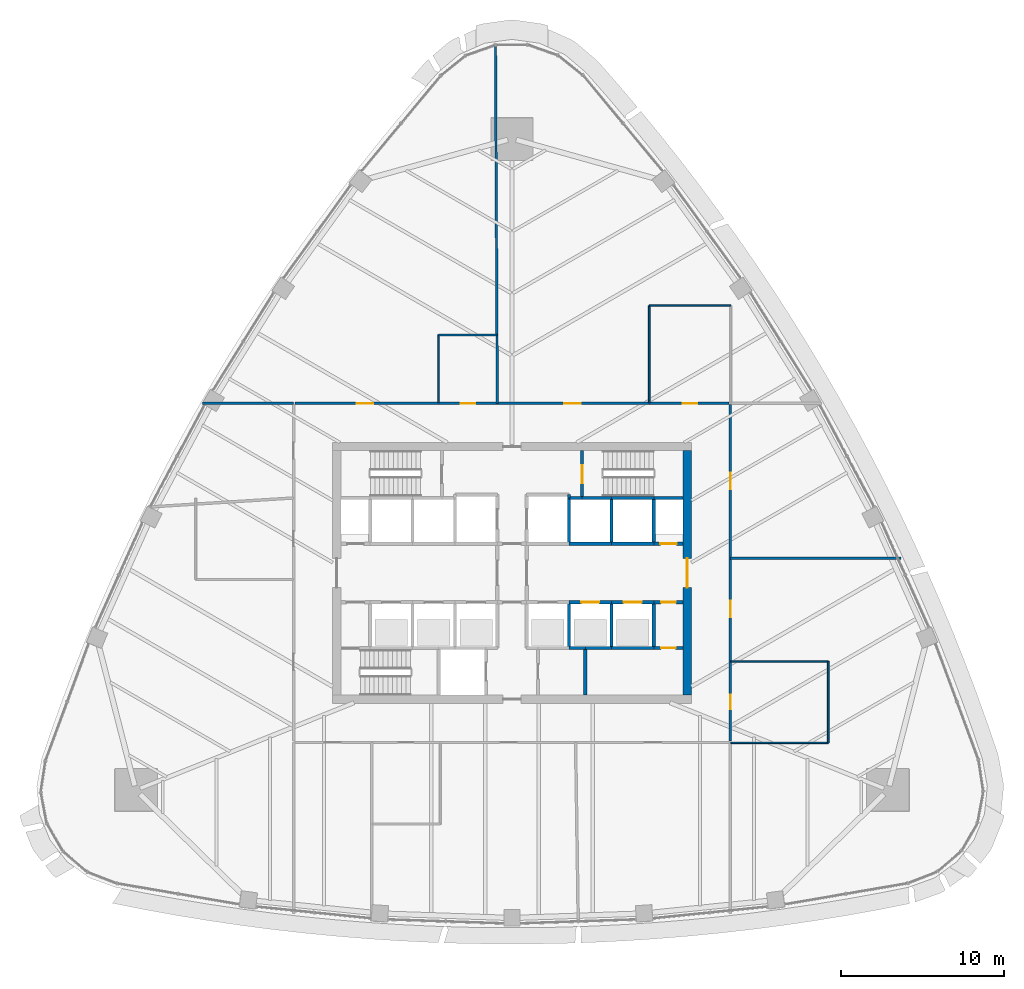
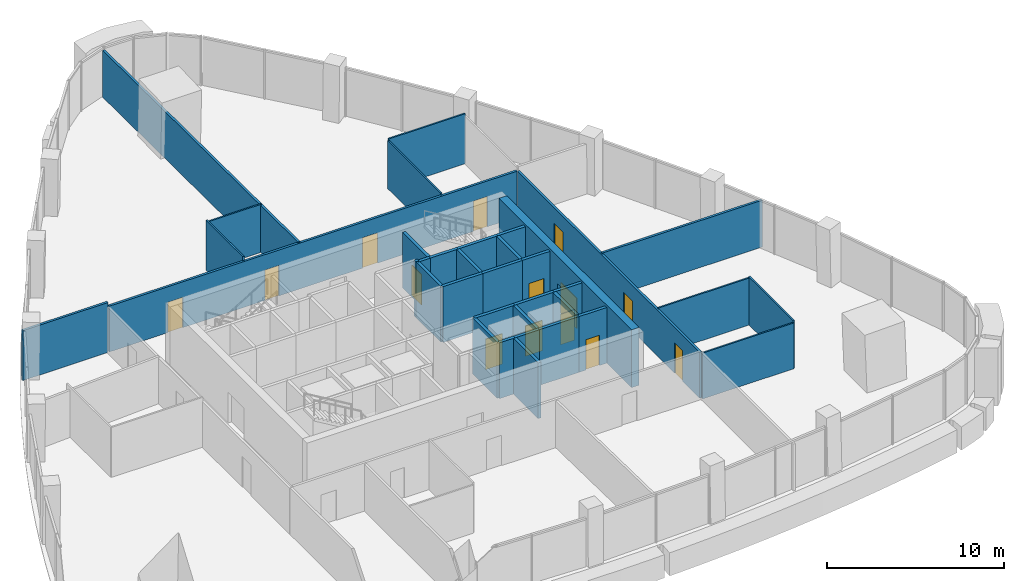
# One storey, part 11 of 16: 36 walls, 14 doors, 14 openings.
"""IFC4 building model written with IfcOpenShell, lengths in metres."""

from ifc_helpers import new_model, si_unit, direction, frame, frame_2d, origin, place, context, subcontext, project, spatial, rectangle, extrude, material, layer, layer_set, type_object, element, fill, save


model = new_model("IFC4")

# Units and contexts
model_context = context("Model", 3, precision=1e-05, world=origin(), true_north=direction((0.0, 1.0)))
body_context = subcontext(model_context, "Body", "Model", "MODEL_VIEW")
ifc_project = project(units=[si_unit("LENGTHUNIT", "METRE"), si_unit("AREAUNIT", "SQUARE_METRE"), si_unit("VOLUMEUNIT", "CUBIC_METRE"), si_unit("PLANEANGLEUNIT", "RADIAN"), si_unit("MASSUNIT", "GRAM", prefix="KILO")], contexts=[model_context])

# Site, building, storey
site_placement = place(None, origin())
site = spatial("IfcSite", under=ifc_project, at=site_placement, CompositionType="ELEMENT")
building_placement = place(site_placement, origin())
building = spatial("IfcBuilding", under=site, at=building_placement, Name="Sierra Prisma Convention Tower", CompositionType="ELEMENT")
storey_placement = place(building_placement, frame((0.0, 0.0, 197.800048828125)))
storey = spatial("IfcBuildingStorey", under=building, at=storey_placement, Name="L44", CompositionType="ELEMENT", Elevation=197.800048828125)

# Walls
ifc_material_1 = material(Name="Gypsum board partition", Category="gypsum")
ifc_layer_1 = layer(ifc_material_1, 0.10009765625)
ifc_layer_set_1 = layer_set([ifc_layer_1], Name="Bathroom partition 100")
wall_type_1 = type_object("IfcWallType", Name="Bathroom partition 100", PredefinedType="PARTITIONING", material=ifc_layer_set_1)
wall_1_placement = place(storey_placement, frame((-4.5, 10.429931640625, 0.0), z_axis=(0.0, 0.0, 1.0), x_axis=(0.0, 1.0, 0.0)))
element("IfcWall", 1, at=wall_1_placement, inside=storey, type_object=wall_type_1, Name="Partition L44 bath 5", PredefinedType="PARTITIONING", context=body_context, shape_type="SweptSolid", body=[
    extrude(rectangle(XDim=4.170166015625, YDim=0.10009765625, at=frame_2d((2.0849609375, 0.0))), origin(), (0.0, 0.0, 1.0), 3.449951171875),
])
wall_2_placement = place(storey_placement, frame((-4.5, 14.60009765625, 0.0), z_axis=(0.0, 0.0, 1.0), x_axis=(1.0, 0.0, 0.0)))
element("IfcWall", 2, at=wall_2_placement, inside=storey, type_object=wall_type_1, Name="Partition L44 bath 6", PredefinedType="PARTITIONING", context=body_context, shape_type="SweptSolid", body=[
    extrude(rectangle(XDim=3.570068359375, YDim=0.10009765625, at=frame_2d((1.78515625, 0.0))), origin(), (0.0, 0.0, 1.0), 3.31689453125),
])
wall_3_placement = place(storey_placement, frame((8.419921875, 10.429931640625, 0.0), z_axis=(0.0, 0.0, 1.0), x_axis=(0.0, 1.0, 0.0)))
element("IfcWall", 3, at=wall_3_placement, inside=storey, type_object=wall_type_1, Name="Partition L44 bath 7", PredefinedType="PARTITIONING", context=body_context, shape_type="SweptSolid", body=[
    extrude(rectangle(XDim=5.969970703125, YDim=0.10009765625, at=frame_2d((2.98486328125, 0.0))), origin(), (0.0, 0.0, 1.0), 3.31689453125),
])
wall_4_placement = place(storey_placement, frame((8.419921875, 16.39990234375, 0.0), z_axis=(0.0, 0.0, 1.0), x_axis=(1.0, 0.0, 0.0)))
element("IfcWall", 4, at=wall_4_placement, inside=storey, type_object=wall_type_1, Name="Partition L44 bath 8", PredefinedType="PARTITIONING", context=body_context, shape_type="SweptSolid", body=[
    extrude(rectangle(XDim=5.0, YDim=0.10009765625, at=frame_2d((2.5, 0.0))), origin(), (0.0, 0.0, 1.0), 3.449951171875),
])
wall_5_placement = place(storey_placement, frame((13.429931640625, -5.419921875, 0.0), z_axis=(0.0, 0.0, 1.0), x_axis=(1.0, 0.0, 0.0)))
element("IfcWall", 5, at=wall_5_placement, inside=storey, type_object=wall_type_1, Name="Partition L44 bath 10", PredefinedType="PARTITIONING", context=body_context, shape_type="SweptSolid", body=[
    extrude(rectangle(XDim=5.969970703125, YDim=0.10009765625, at=frame_2d((2.98486328125, 0.0))), origin(), (0.0, 0.0, 1.0), 3.2470703125),
])
wall_6_placement = place(storey_placement, frame((19.39990234375, -5.419921875, 0.0), z_axis=(0.0, 0.0, 1.0), x_axis=(0.0, -1.0, 0.0)))
element("IfcWall", 6, at=wall_6_placement, inside=storey, type_object=wall_type_1, Name="Partition L44 bath 11", PredefinedType="PARTITIONING", context=body_context, shape_type="SweptSolid", body=[
    extrude(rectangle(XDim=5.0, YDim=0.10009765625, at=frame_2d((2.5, 0.0))), origin(), (0.0, 0.0, 1.0), 3.31689453125),
])
wall_7_placement = place(storey_placement, frame((19.39990234375, -10.419921875, 0.0), z_axis=(0.0, 0.0, 1.0), x_axis=(-1.0, 0.0, 0.0)))
element("IfcWall", 7, at=wall_7_placement, inside=storey, type_object=wall_type_1, Name="Partition L44 bath 12", PredefinedType="PARTITIONING", context=body_context, shape_type="SweptSolid", body=[
    extrude(rectangle(XDim=5.969970703125, YDim=0.10009765625, at=frame_2d((2.98486328125, 0.0))), origin(), (0.0, 0.0, 1.0), 3.166015625),
])
ifc_material_2 = material(Name="Concrete C30/37", Category="concrete")
ifc_layer_2 = layer(ifc_material_2, 0.199951171875)
ifc_layer_set_2 = layer_set([ifc_layer_2], Name="Core wall RC 200 C30/37")
wall_type_2 = type_object("IfcWallType", Name="Core wall RC 200 C30/37", PredefinedType="SOLIDWALL", material=ifc_layer_set_2)
wall_8_placement = place(storey_placement, frame((3.5, 4.60009765625, 0.0), z_axis=(0.0, 0.0, 1.0), x_axis=(0.0, 1.0, 0.0)))
element("IfcWall", 8, at=wall_8_placement, inside=storey, type_object=wall_type_2, Name="Core wall L44 40", PredefinedType="SOLIDWALL", context=body_context, shape_type="SweptSolid", body=[
    extrude(rectangle(XDim=0.199951171875, YDim=0.199951171875, at=frame_2d((0.10009765625, 0.0))), origin(), (0.0, 0.0, 1.0), 3.849853515625),
])
wall_9_placement = place(storey_placement, frame((4.5, -4.60009765625, 0.0), z_axis=(0.0, 0.0, 1.0), x_axis=(-1.0, 0.0, 0.0)))
element("IfcWall", 9, at=wall_9_placement, inside=storey, type_object=wall_type_2, Name="Core wall L44 45", PredefinedType="SOLIDWALL", context=body_context, shape_type="SweptSolid", body=[
    extrude(rectangle(XDim=1.0, YDim=0.199951171875, at=frame_2d((0.5, 0.0))), origin(), (0.0, 0.0, 1.0), 3.849853515625),
])
wall_10_placement = place(storey_placement, frame((3.5, -4.60009765625, 0.0), z_axis=(0.0, 0.0, 1.0), x_axis=(0.0, 1.0, 0.0)))
element("IfcWall", 10, at=wall_10_placement, inside=storey, type_object=wall_type_2, Name="Core wall L44 46", PredefinedType="SOLIDWALL", context=body_context, shape_type="SweptSolid", body=[
    extrude(rectangle(XDim=2.800048828125, YDim=0.199951171875, at=frame_2d((1.39990234375, 0.0))), origin(), (0.0, 0.0, 1.0), 3.849853515625),
])

# Wall, opening, door
wall_11_placement = place(storey_placement, frame((3.5, -1.800048828125, 0.0), z_axis=(0.0, 0.0, 1.0), x_axis=(1.0, 0.0, 0.0)))
wall_11 = element("IfcWall", 11, at=wall_11_placement, inside=storey, type_object=wall_type_2, Name="Core wall L44 47", PredefinedType="SOLIDWALL", context=body_context, shape_type="SweptSolid", body=[
    extrude(rectangle(XDim=2.60009765625, YDim=0.199951171875, at=frame_2d((1.300048828125, 0.0))), origin(), (0.0, 0.0, 1.0), 3.849853515625),
])
opening_1_placement = place(wall_11_placement, frame((0.75, 0.0, 0.0)))
opening_1 = element("IfcOpeningElement", 12, at=opening_1_placement, cuts=wall_11, Name="Opening L44-D005", PredefinedType="OPENING", context=body_context, shape_type="SweptSolid", body=[
    extrude(rectangle(XDim=1.10009765625, YDim=2.10009765625, at=frame_2d((0.550048828125, 1.050048828125))), frame((0.0, 0.10009765625, 0.0), z_axis=(0.0, -1.0, 0.0), x_axis=(1.0, 0.0, 0.0)), (0.0, 0.0, 1.0), 0.199951171875),
])
ifc_material_3 = material(Name="Steel fire door leaf", Category="steel")
door_type_1 = type_object("IfcDoorType", Name="Door 1100x2100 EI 90 sliding lift landing", OperationType="SLIDING_TO_LEFT", PredefinedType="DOOR", material=ifc_material_3)
door_1_placement = place(opening_1_placement, origin())
door_1 = element("IfcDoor", 13, at=door_1_placement, inside=storey, type_object=door_type_1, Name="Door L44 19", OperationType="SLIDING_TO_LEFT", OverallHeight=2.10009765625, OverallWidth=1.10009765625, PredefinedType="DOOR", context=body_context, shape_type="SweptSolid", body=[
    extrude(rectangle(XDim=1.10009765625, YDim=2.10009765625, at=frame_2d((0.550048828125, 1.050048828125))), frame((0.0, 0.02490234375, 0.0), z_axis=(0.0, -1.0, 0.0), x_axis=(1.0, 0.0, 0.0)), (0.0, 0.0, 1.0), 0.050048828125),
])
fill(opening_1, door_1)

# Walls
wall_12_placement = place(storey_placement, frame((6.10009765625, 1.800048828125, 0.0), z_axis=(0.0, 0.0, 1.0), x_axis=(-1.0, 0.0, 0.0)))
element("IfcWall", 14, at=wall_12_placement, inside=storey, type_object=wall_type_2, Name="Core wall L44 48", PredefinedType="SOLIDWALL", context=body_context, shape_type="SweptSolid", body=[
    extrude(rectangle(XDim=2.60009765625, YDim=0.199951171875, at=frame_2d((1.300048828125, 0.0))), origin(), (0.0, 0.0, 1.0), 3.849853515625),
])
wall_13_placement = place(storey_placement, frame((3.5, 1.800048828125, 0.0), z_axis=(0.0, 0.0, 1.0), x_axis=(0.0, 1.0, 0.0)))
element("IfcWall", 15, at=wall_13_placement, inside=storey, type_object=wall_type_2, Name="Core wall L44 49", PredefinedType="SOLIDWALL", context=body_context, shape_type="SweptSolid", body=[
    extrude(rectangle(XDim=2.800048828125, YDim=0.199951171875, at=frame_2d((1.39990234375, 0.0))), origin(), (0.0, 0.0, 1.0), 3.849853515625),
])
wall_14_placement = place(storey_placement, frame((4.300048828125, 4.60009765625, 0.0), z_axis=(0.0, 0.0, 1.0), x_axis=(-1.0, 0.0, 0.0)))
element("IfcWall", 16, at=wall_14_placement, inside=storey, type_object=wall_type_2, Name="Core wall L44 50", PredefinedType="SOLIDWALL", context=body_context, shape_type="SweptSolid", body=[
    extrude(rectangle(XDim=0.800048828125, YDim=0.199951171875, at=frame_2d((0.39990234375, 0.0))), origin(), (0.0, 0.0, 1.0), 3.849853515625),
])
wall_15_placement = place(storey_placement, frame((6.10009765625, 4.60009765625, 0.0), z_axis=(0.0, 0.0, 1.0), x_axis=(-1.0, 0.0, 0.0)))
element("IfcWall", 17, at=wall_15_placement, inside=storey, type_object=wall_type_2, Name="Core wall L44 51", PredefinedType="SOLIDWALL", context=body_context, shape_type="SweptSolid", body=[
    extrude(rectangle(XDim=1.800048828125, YDim=0.199951171875, at=frame_2d((0.89990234375, 0.0))), origin(), (0.0, 0.0, 1.0), 3.849853515625),
])

# Wall, opening, door
wall_16_placement = place(storey_placement, frame((4.300048828125, 7.5, 0.0), z_axis=(0.0, 0.0, 1.0), x_axis=(0.0, -1.0, 0.0)))
wall_16 = element("IfcWall", 18, at=wall_16_placement, inside=storey, type_object=wall_type_2, Name="Core wall L44 52", PredefinedType="SOLIDWALL", context=body_context, shape_type="SweptSolid", body=[
    extrude(rectangle(XDim=2.89990234375, YDim=0.199951171875, at=frame_2d((1.449951171875, 0.0))), origin(), (0.0, 0.0, 1.0), 3.849853515625),
])
opening_2_placement = place(wall_16_placement, frame((0.89990234375, 0.0, 0.0)))
opening_2 = element("IfcOpeningElement", 19, at=opening_2_placement, cuts=wall_16, Name="Opening L44-D019", PredefinedType="OPENING", context=body_context, shape_type="SweptSolid", body=[
    extrude(rectangle(XDim=1.10009765625, YDim=2.10009765625, at=frame_2d((0.550048828125, 1.050048828125))), frame((0.0, 0.10009765625, 0.0), z_axis=(0.0, -1.0, 0.0), x_axis=(1.0, 0.0, 0.0)), (0.0, 0.0, 1.0), 0.199951171875),
])
ifc_material_4 = material(Name="Steel fire door leaf", Category="steel")
door_type_2 = type_object("IfcDoorType", Name="Door 1100x2100 FD90S", OperationType="SINGLE_SWING_LEFT", PredefinedType="DOOR", material=ifc_material_4)
door_2_placement = place(opening_2_placement, origin())
door_2 = element("IfcDoor", 20, at=door_2_placement, inside=storey, type_object=door_type_2, Name="Door L44 33", OperationType="SINGLE_SWING_LEFT", OverallHeight=2.10009765625, OverallWidth=1.10009765625, PredefinedType="DOOR", context=body_context, shape_type="SweptSolid", body=[
    extrude(rectangle(XDim=1.10009765625, YDim=2.10009765625, at=frame_2d((0.550048828125, 1.050048828125))), frame((0.0, 0.02490234375, 0.0), z_axis=(0.0, -1.0, 0.0), x_axis=(1.0, 0.0, 0.0)), (0.0, 0.0, 1.0), 0.050048828125),
])
fill(opening_2, door_2)

# Walls
wall_17_placement = place(storey_placement, frame((4.5, -4.60009765625, 0.0), z_axis=(0.0, 0.0, 1.0), x_axis=(0.0, -1.0, 0.0)))
element("IfcWall", 21, at=wall_17_placement, inside=storey, type_object=wall_type_2, Name="Core wall L44 53", PredefinedType="SOLIDWALL", context=body_context, shape_type="SweptSolid", body=[
    extrude(rectangle(XDim=2.89990234375, YDim=0.199951171875, at=frame_2d((1.449951171875, 0.0))), origin(), (0.0, 0.0, 1.0), 3.849853515625),
])
wall_18_placement = place(storey_placement, frame((6.10009765625, -4.60009765625, 0.0), z_axis=(0.0, 0.0, 1.0), x_axis=(-1.0, 0.0, 0.0)))
element("IfcWall", 22, at=wall_18_placement, inside=storey, type_object=wall_type_2, Name="Core wall L44 54", PredefinedType="SOLIDWALL", context=body_context, shape_type="SweptSolid", body=[
    extrude(rectangle(XDim=1.60009765625, YDim=0.199951171875, at=frame_2d((0.800048828125, 0.0))), origin(), (0.0, 0.0, 1.0), 3.849853515625),
])
wall_19_placement = place(storey_placement, frame((8.699951171875, -4.60009765625, 0.0), z_axis=(0.0, 0.0, 1.0), x_axis=(-1.0, 0.0, 0.0)))
element("IfcWall", 23, at=wall_19_placement, inside=storey, type_object=wall_type_2, Name="Core wall L44 55", PredefinedType="SOLIDWALL", context=body_context, shape_type="SweptSolid", body=[
    extrude(rectangle(XDim=2.599853515625, YDim=0.199951171875, at=frame_2d((1.2998046875, 0.0))), origin(), (0.0, 0.0, 1.0), 3.849853515625),
])
wall_20_placement = place(storey_placement, frame((6.10009765625, -4.60009765625, 0.0), z_axis=(0.0, 0.0, 1.0), x_axis=(0.0, 1.0, 0.0)))
element("IfcWall", 24, at=wall_20_placement, inside=storey, type_object=wall_type_2, Name="Core wall L44 56", PredefinedType="SOLIDWALL", context=body_context, shape_type="SweptSolid", body=[
    extrude(rectangle(XDim=2.800048828125, YDim=0.199951171875, at=frame_2d((1.39990234375, 0.0))), origin(), (0.0, 0.0, 1.0), 3.849853515625),
])

# Wall, opening, door
wall_21_placement = place(storey_placement, frame((6.10009765625, -1.800048828125, 0.0), z_axis=(0.0, 0.0, 1.0), x_axis=(1.0, 0.0, 0.0)))
wall_21 = element("IfcWall", 25, at=wall_21_placement, inside=storey, type_object=wall_type_2, Name="Core wall L44 57", PredefinedType="SOLIDWALL", context=body_context, shape_type="SweptSolid", body=[
    extrude(rectangle(XDim=2.599853515625, YDim=0.199951171875, at=frame_2d((1.2998046875, 0.0))), origin(), (0.0, 0.0, 1.0), 3.849853515625),
])
opening_3_placement = place(wall_21_placement, frame((0.75, 0.0, 0.0)))
opening_3 = element("IfcOpeningElement", 26, at=opening_3_placement, cuts=wall_21, Name="Opening L44-D006", PredefinedType="OPENING", context=body_context, shape_type="SweptSolid", body=[
    extrude(rectangle(XDim=1.10009765625, YDim=2.10009765625, at=frame_2d((0.550048828125, 1.050048828125))), frame((0.0, 0.10009765625, 0.0), z_axis=(0.0, -1.0, 0.0), x_axis=(1.0, 0.0, 0.0)), (0.0, 0.0, 1.0), 0.199951171875),
])
door_3_placement = place(opening_3_placement, origin())
door_3 = element("IfcDoor", 27, at=door_3_placement, inside=storey, type_object=door_type_1, Name="Door L44 20", OperationType="SLIDING_TO_LEFT", OverallHeight=2.10009765625, OverallWidth=1.10009765625, PredefinedType="DOOR", context=body_context, shape_type="SweptSolid", body=[
    extrude(rectangle(XDim=1.10009765625, YDim=2.10009765625, at=frame_2d((0.550048828125, 1.050048828125))), frame((0.0, 0.02490234375, 0.0), z_axis=(0.0, -1.0, 0.0), x_axis=(1.0, 0.0, 0.0)), (0.0, 0.0, 1.0), 0.050048828125),
])
fill(opening_3, door_3)

# Walls
wall_22_placement = place(storey_placement, frame((8.699951171875, 1.800048828125, 0.0), z_axis=(0.0, 0.0, 1.0), x_axis=(-1.0, 0.0, 0.0)))
element("IfcWall", 28, at=wall_22_placement, inside=storey, type_object=wall_type_2, Name="Core wall L44 58", PredefinedType="SOLIDWALL", context=body_context, shape_type="SweptSolid", body=[
    extrude(rectangle(XDim=2.599853515625, YDim=0.199951171875, at=frame_2d((1.2998046875, 0.0))), origin(), (0.0, 0.0, 1.0), 3.849853515625),
])
wall_23_placement = place(storey_placement, frame((6.10009765625, 1.800048828125, 0.0), z_axis=(0.0, 0.0, 1.0), x_axis=(0.0, 1.0, 0.0)))
element("IfcWall", 29, at=wall_23_placement, inside=storey, type_object=wall_type_2, Name="Core wall L44 59", PredefinedType="SOLIDWALL", context=body_context, shape_type="SweptSolid", body=[
    extrude(rectangle(XDim=2.800048828125, YDim=0.199951171875, at=frame_2d((1.39990234375, 0.0))), origin(), (0.0, 0.0, 1.0), 3.849853515625),
])
wall_24_placement = place(storey_placement, frame((8.699951171875, 4.60009765625, 0.0), z_axis=(0.0, 0.0, 1.0), x_axis=(-1.0, 0.0, 0.0)))
element("IfcWall", 30, at=wall_24_placement, inside=storey, type_object=wall_type_2, Name="Core wall L44 60", PredefinedType="SOLIDWALL", context=body_context, shape_type="SweptSolid", body=[
    extrude(rectangle(XDim=2.599853515625, YDim=0.199951171875, at=frame_2d((1.2998046875, 0.0))), origin(), (0.0, 0.0, 1.0), 3.849853515625),
])

# Wall, opening, door
wall_25_placement = place(storey_placement, frame((10.5, -4.60009765625, 0.0), z_axis=(0.0, 0.0, 1.0), x_axis=(-1.0, 0.0, 0.0)))
wall_25 = element("IfcWall", 31, at=wall_25_placement, inside=storey, type_object=wall_type_2, Name="Core wall L44 61", PredefinedType="SOLIDWALL", context=body_context, shape_type="SweptSolid", body=[
    extrude(rectangle(XDim=1.800048828125, YDim=0.199951171875, at=frame_2d((0.89990234375, 0.0))), origin(), (0.0, 0.0, 1.0), 3.849853515625),
])
opening_4_placement = place(wall_25_placement, frame((0.4599609375, 0.0, 0.0)))
opening_4 = element("IfcOpeningElement", 32, at=opening_4_placement, cuts=wall_25, Name="Opening L44-D020", PredefinedType="OPENING", context=body_context, shape_type="SweptSolid", body=[
    extrude(rectangle(XDim=0.89990234375, YDim=2.10009765625, at=frame_2d((0.449951171875, 1.050048828125))), frame((0.0, 0.10009765625, 0.0), z_axis=(0.0, -1.0, 0.0), x_axis=(1.0, 0.0, 0.0)), (0.0, 0.0, 1.0), 0.199951171875),
])
ifc_material_5 = material(Name="Steel fire door leaf", Category="steel")
door_type_3 = type_object("IfcDoorType", Name="Door 900x2100 FD30S", OperationType="SINGLE_SWING_LEFT", PredefinedType="DOOR", material=ifc_material_5)
door_4_placement = place(opening_4_placement, origin())
door_4 = element("IfcDoor", 33, at=door_4_placement, inside=storey, type_object=door_type_3, Name="Door L44 34", OperationType="SINGLE_SWING_RIGHT", OverallHeight=2.10009765625, OverallWidth=0.89990234375, PredefinedType="DOOR", context=body_context, shape_type="SweptSolid", body=[
    extrude(rectangle(XDim=0.89990234375, YDim=2.10009765625, at=frame_2d((0.449951171875, 1.050048828125))), frame((0.0, 0.02490234375, 0.0), z_axis=(0.0, -1.0, 0.0), x_axis=(1.0, 0.0, 0.0)), (0.0, 0.0, 1.0), 0.050048828125),
])
fill(opening_4, door_4)

# Wall
wall_26_placement = place(storey_placement, frame((8.699951171875, -1.800048828125, 0.0), z_axis=(0.0, 0.0, 1.0), x_axis=(0.0, -1.0, 0.0)))
element("IfcWall", 34, at=wall_26_placement, inside=storey, type_object=wall_type_2, Name="Core wall L44 62", PredefinedType="SOLIDWALL", context=body_context, shape_type="SweptSolid", body=[
    extrude(rectangle(XDim=2.800048828125, YDim=0.199951171875, at=frame_2d((1.39990234375, 0.0))), origin(), (0.0, 0.0, 1.0), 3.849853515625),
])

# Wall, opening, door
wall_27_placement = place(storey_placement, frame((8.699951171875, -1.800048828125, 0.0), z_axis=(0.0, 0.0, 1.0), x_axis=(1.0, 0.0, 0.0)))
wall_27 = element("IfcWall", 35, at=wall_27_placement, inside=storey, type_object=wall_type_2, Name="Core wall L44 63", PredefinedType="SOLIDWALL", context=body_context, shape_type="SweptSolid", body=[
    extrude(rectangle(XDim=1.800048828125, YDim=0.199951171875, at=frame_2d((0.89990234375, 0.0))), origin(), (0.0, 0.0, 1.0), 3.849853515625),
])
opening_5_placement = place(wall_27_placement, frame((0.449951171875, 0.0, 0.0)))
opening_5 = element("IfcOpeningElement", 36, at=opening_5_placement, cuts=wall_27, Name="Opening L44-D021", PredefinedType="OPENING", context=body_context, shape_type="SweptSolid", body=[
    extrude(rectangle(XDim=0.89990234375, YDim=2.10009765625, at=frame_2d((0.449951171875, 1.050048828125))), frame((0.0, 0.10009765625, 0.0), z_axis=(0.0, -1.0, 0.0), x_axis=(1.0, 0.0, 0.0)), (0.0, 0.0, 1.0), 0.199951171875),
])
door_5_placement = place(opening_5_placement, origin())
door_5 = element("IfcDoor", 37, at=door_5_placement, inside=storey, type_object=door_type_3, Name="Door L44 35", OperationType="SINGLE_SWING_RIGHT", OverallHeight=2.10009765625, OverallWidth=0.89990234375, PredefinedType="DOOR", context=body_context, shape_type="SweptSolid", body=[
    extrude(rectangle(XDim=0.89990234375, YDim=2.10009765625, at=frame_2d((0.449951171875, 1.050048828125))), frame((0.0, 0.02490234375, 0.0), z_axis=(0.0, -1.0, 0.0), x_axis=(1.0, 0.0, 0.0)), (0.0, 0.0, 1.0), 0.050048828125),
])
fill(opening_5, door_5)

wall_28_placement = place(storey_placement, frame((10.5, 1.800048828125, 0.0), z_axis=(0.0, 0.0, 1.0), x_axis=(-1.0, 0.0, 0.0)))
wall_28 = element("IfcWall", 38, at=wall_28_placement, inside=storey, type_object=wall_type_2, Name="Core wall L44 64", PredefinedType="SOLIDWALL", context=body_context, shape_type="SweptSolid", body=[
    extrude(rectangle(XDim=1.800048828125, YDim=0.199951171875, at=frame_2d((0.89990234375, 0.0))), origin(), (0.0, 0.0, 1.0), 3.849853515625),
])
opening_6_placement = place(wall_28_placement, frame((0.39990234375, 0.0, 0.0)))
opening_6 = element("IfcOpeningElement", 39, at=opening_6_placement, cuts=wall_28, Name="Opening L44-D016", PredefinedType="OPENING", context=body_context, shape_type="SweptSolid", body=[
    extrude(rectangle(XDim=1.0, YDim=2.10009765625, at=frame_2d((0.5, 1.050048828125))), frame((0.0, 0.10009765625, 0.0), z_axis=(0.0, -1.0, 0.0), x_axis=(1.0, 0.0, 0.0)), (0.0, 0.0, 1.0), 0.199951171875),
])
ifc_material_6 = material(Name="Steel fire door leaf", Category="steel")
door_type_4 = type_object("IfcDoorType", Name="Door 1000x2100 FD60S", OperationType="SINGLE_SWING_LEFT", PredefinedType="DOOR", material=ifc_material_6)
door_6_placement = place(opening_6_placement, origin())
door_6 = element("IfcDoor", 40, at=door_6_placement, inside=storey, type_object=door_type_4, Name="Door L44 30", OperationType="SINGLE_SWING_LEFT", OverallHeight=2.10009765625, OverallWidth=1.0, PredefinedType="DOOR", context=body_context, shape_type="SweptSolid", body=[
    extrude(rectangle(XDim=1.0, YDim=2.10009765625, at=frame_2d((0.5, 1.050048828125))), frame((0.0, 0.02490234375, 0.0), z_axis=(0.0, -1.0, 0.0), x_axis=(1.0, 0.0, 0.0)), (0.0, 0.0, 1.0), 0.050048828125),
])
fill(opening_6, door_6)

# Walls
wall_29_placement = place(storey_placement, frame((8.699951171875, 4.60009765625, 0.0), z_axis=(0.0, 0.0, 1.0), x_axis=(0.0, -1.0, 0.0)))
element("IfcWall", 41, at=wall_29_placement, inside=storey, type_object=wall_type_2, Name="Core wall L44 65", PredefinedType="SOLIDWALL", context=body_context, shape_type="SweptSolid", body=[
    extrude(rectangle(XDim=2.800048828125, YDim=0.199951171875, at=frame_2d((1.39990234375, 0.0))), origin(), (0.0, 0.0, 1.0), 3.849853515625),
])
wall_30_placement = place(storey_placement, frame((10.5, 4.60009765625, 0.0), z_axis=(0.0, 0.0, 1.0), x_axis=(-1.0, 0.0, 0.0)))
element("IfcWall", 42, at=wall_30_placement, inside=storey, type_object=wall_type_2, Name="Core wall L44 66", PredefinedType="SOLIDWALL", context=body_context, shape_type="SweptSolid", body=[
    extrude(rectangle(XDim=1.800048828125, YDim=0.199951171875, at=frame_2d((0.89990234375, 0.0))), origin(), (0.0, 0.0, 1.0), 3.849853515625),
])

# Wall, opening, door
ifc_material_7 = material(Name="Concrete C60/75", Category="concrete")
ifc_layer_3 = layer(ifc_material_7, 0.5)
ifc_layer_set_3 = layer_set([ifc_layer_3], Name="Core wall RC 500 C60/75")
wall_type_3 = type_object("IfcWallType", Name="Core wall RC 500 C60/75", PredefinedType="SHEAR", material=ifc_layer_set_3)
wall_31_placement = place(storey_placement, frame((10.75, -7.5, 0.0), z_axis=(0.0, 0.0, 1.0), x_axis=(0.0, 1.0, 0.0)))
wall_31 = element("IfcWall", 43, at=wall_31_placement, inside=storey, type_object=wall_type_3, Name="Core wall E L44", PredefinedType="SHEAR", context=body_context, shape_type="SweptSolid", body=[
    extrude(rectangle(XDim=15.0, YDim=0.5, at=frame_2d((7.5, 0.0))), origin(), (0.0, 0.0, 1.0), 4.0),
])
opening_7_placement = place(wall_31_placement, frame((6.60009765625, 0.0, 0.0)))
opening_7 = element("IfcOpeningElement", 44, at=opening_7_placement, cuts=wall_31, Name="Opening L44-D037", PredefinedType="OPENING", context=body_context, shape_type="SweptSolid", body=[
    extrude(rectangle(XDim=1.800048828125, YDim=2.10009765625, at=frame_2d((0.89990234375, 1.050048828125))), frame((0.0, 0.25, 0.0), z_axis=(0.0, -1.0, 0.0), x_axis=(1.0, 0.0, 0.0)), (0.0, 0.0, 1.0), 0.5),
])
ifc_material_8 = material(Name="Steel fire door leaf", Category="steel")
door_type_5 = type_object("IfcDoorType", Name="Door 1800x2100 FD60S", OperationType="DOUBLE_DOOR_SINGLE_SWING", PredefinedType="DOOR", material=ifc_material_8)
door_7_placement = place(opening_7_placement, origin())
door_7 = element("IfcDoor", 45, at=door_7_placement, inside=storey, type_object=door_type_5, Name="Door L44 38", OperationType="DOUBLE_DOOR_SINGLE_SWING", OverallHeight=2.10009765625, OverallWidth=1.800048828125, PredefinedType="DOOR", context=body_context, shape_type="SweptSolid", body=[
    extrude(rectangle(XDim=1.800048828125, YDim=2.10009765625, at=frame_2d((0.89990234375, 1.050048828125))), frame((0.0, 0.02490234375, 0.0), z_axis=(0.0, -1.0, 0.0), x_axis=(1.0, 0.0, 0.0)), (0.0, 0.0, 1.0), 0.050048828125),
])
fill(opening_7, door_7)

# Wall, openings, doors
ifc_material_9 = material(Name="Gypsum board partition", Category="gypsum")
ifc_layer_4 = layer(ifc_material_9, 0.14990234375)
ifc_layer_set_4 = layer_set([ifc_layer_4], Name="Corridor wall 150 gypsum EI 60")
wall_type_4 = type_object("IfcWallType", Name="Corridor wall 150 gypsum EI 60", PredefinedType="PARTITIONING", material=ifc_layer_set_4)
wall_32_placement = place(storey_placement, frame((13.320068359375, 10.39990234375, 0.0), z_axis=(0.0, 0.0, 1.0), x_axis=(-1.0, 0.0, 0.0)))
wall_32 = element("IfcWall", 46, at=wall_32_placement, inside=storey, type_object=wall_type_4, Name="Partition L44 corr 3", PredefinedType="PARTITIONING", context=body_context, shape_type="SweptSolid", body=[
    extrude(rectangle(XDim=26.64013671875, YDim=0.14990234375, at=frame_2d((13.320068359375, 0.0))), origin(), (0.0, 0.0, 1.0), 3.166015625),
])
opening_8_placement = place(wall_32_placement, frame((1.949951171875, 0.0, 0.0)))
opening_8 = element("IfcOpeningElement", 47, at=opening_8_placement, cuts=wall_32, Name="Opening L44-D024", PredefinedType="OPENING", context=body_context, shape_type="SweptSolid", body=[
    extrude(rectangle(XDim=0.89990234375, YDim=2.10009765625, at=frame_2d((0.449951171875, 1.050048828125))), frame((0.0, 0.074951171875, 0.0), z_axis=(0.0, -1.0, 0.0), x_axis=(1.0, 0.0, 0.0)), (0.0, 0.0, 1.0), 0.14990234375),
])
opening_9_placement = place(wall_32_placement, frame((9.110107421875, 0.0, 0.0)))
opening_9 = element("IfcOpeningElement", 48, at=opening_9_placement, cuts=wall_32, Name="Opening L44-D025", PredefinedType="OPENING", context=body_context, shape_type="SweptSolid", body=[
    extrude(rectangle(XDim=1.0, YDim=2.10009765625, at=frame_2d((0.5, 1.050048828125))), frame((0.0, 0.074951171875, 0.0), z_axis=(0.0, -1.0, 0.0), x_axis=(1.0, 0.0, 0.0)), (0.0, 0.0, 1.0), 0.14990234375),
])
opening_10_placement = place(wall_32_placement, frame((15.570068359375, 0.0, 0.0)))
opening_10 = element("IfcOpeningElement", 49, at=opening_10_placement, cuts=wall_32, Name="Opening L44-D026", PredefinedType="OPENING", context=body_context, shape_type="SweptSolid", body=[
    extrude(rectangle(XDim=0.89990234375, YDim=2.10009765625, at=frame_2d((0.449951171875, 1.050048828125))), frame((0.0, 0.074951171875, 0.0), z_axis=(0.0, -1.0, 0.0), x_axis=(1.0, 0.0, 0.0)), (0.0, 0.0, 1.0), 0.14990234375),
])
opening_11_placement = place(wall_32_placement, frame((21.830078125, 0.0, 0.0)))
opening_11 = element("IfcOpeningElement", 50, at=opening_11_placement, cuts=wall_32, Name="Opening L44-D027", PredefinedType="OPENING", context=body_context, shape_type="SweptSolid", body=[
    extrude(rectangle(XDim=1.0, YDim=2.10009765625, at=frame_2d((0.5, 1.050048828125))), frame((0.0, 0.074951171875, 0.0), z_axis=(0.0, -1.0, 0.0), x_axis=(1.0, 0.0, 0.0)), (0.0, 0.0, 1.0), 0.14990234375),
])
ifc_material_10 = material(Name="Steel fire door leaf", Category="steel")
door_type_6 = type_object("IfcDoorType", Name="Door 1000x2100 FD30S", OperationType="SINGLE_SWING_LEFT", PredefinedType="DOOR", material=ifc_material_10)
door_8_placement = place(opening_9_placement, origin())
door_8 = element("IfcDoor", 51, at=door_8_placement, inside=storey, type_object=door_type_6, Name="Door L44 3", OperationType="SINGLE_SWING_RIGHT", OverallHeight=2.10009765625, OverallWidth=1.0, PredefinedType="DOOR", context=body_context, shape_type="SweptSolid", body=[
    extrude(rectangle(XDim=1.0, YDim=2.10009765625, at=frame_2d((0.5, 1.050048828125))), frame((0.0, 0.02490234375, 0.0), z_axis=(0.0, -1.0, 0.0), x_axis=(1.0, 0.0, 0.0)), (0.0, 0.0, 1.0), 0.050048828125),
])
fill(opening_9, door_8)
door_9_placement = place(opening_11_placement, origin())
door_9 = element("IfcDoor", 52, at=door_9_placement, inside=storey, type_object=door_type_6, Name="Door L44 5", OperationType="SINGLE_SWING_LEFT", OverallHeight=2.10009765625, OverallWidth=1.0, PredefinedType="DOOR", context=body_context, shape_type="SweptSolid", body=[
    extrude(rectangle(XDim=1.0, YDim=2.10009765625, at=frame_2d((0.5, 1.050048828125))), frame((0.0, 0.02490234375, 0.0), z_axis=(0.0, -1.0, 0.0), x_axis=(1.0, 0.0, 0.0)), (0.0, 0.0, 1.0), 0.050048828125),
])
fill(opening_11, door_9)
door_10_placement = place(opening_8_placement, origin())
door_10 = element("IfcDoor", 53, at=door_10_placement, inside=storey, type_object=door_type_3, Name="Door L44 2", OperationType="SINGLE_SWING_LEFT", OverallHeight=2.10009765625, OverallWidth=0.89990234375, PredefinedType="DOOR", context=body_context, shape_type="SweptSolid", body=[
    extrude(rectangle(XDim=0.89990234375, YDim=2.10009765625, at=frame_2d((0.449951171875, 1.050048828125))), frame((0.0, 0.02490234375, 0.0), z_axis=(0.0, -1.0, 0.0), x_axis=(1.0, 0.0, 0.0)), (0.0, 0.0, 1.0), 0.050048828125),
])
fill(opening_8, door_10)
door_11_placement = place(opening_10_placement, origin())
door_11 = element("IfcDoor", 54, at=door_11_placement, inside=storey, type_object=door_type_3, Name="Door L44 4", OperationType="SINGLE_SWING_RIGHT", OverallHeight=2.10009765625, OverallWidth=0.89990234375, PredefinedType="DOOR", context=body_context, shape_type="SweptSolid", body=[
    extrude(rectangle(XDim=0.89990234375, YDim=2.10009765625, at=frame_2d((0.449951171875, 1.050048828125))), frame((0.0, 0.02490234375, 0.0), z_axis=(0.0, -1.0, 0.0), x_axis=(1.0, 0.0, 0.0)), (0.0, 0.0, 1.0), 0.050048828125),
])
fill(opening_10, door_11)

wall_33_placement = place(storey_placement, frame((13.39990234375, -10.320068359375, 0.0), z_axis=(0.0, 0.0, 1.0), x_axis=(0.0, 1.0, 0.0)))
wall_33 = element("IfcWall", 55, at=wall_33_placement, inside=storey, type_object=wall_type_4, Name="Partition L44 corr 4", PredefinedType="PARTITIONING", context=body_context, shape_type="SweptSolid", body=[
    extrude(rectangle(XDim=20.64013671875, YDim=0.14990234375, at=frame_2d((10.320068359375, 0.0))), origin(), (0.0, 0.0, 1.0), 3.166015625),
])
opening_12_placement = place(wall_33_placement, frame((15.469970703125, 0.0, 0.0)))
opening_12 = element("IfcOpeningElement", 56, at=opening_12_placement, cuts=wall_33, Name="Opening L44-D023", PredefinedType="OPENING", context=body_context, shape_type="SweptSolid", body=[
    extrude(rectangle(XDim=1.0, YDim=2.10009765625, at=frame_2d((0.5, 1.050048828125))), frame((0.0, 0.074951171875, 0.0), z_axis=(0.0, -1.0, 0.0), x_axis=(1.0, 0.0, 0.0)), (0.0, 0.0, 1.0), 0.14990234375),
])
opening_13_placement = place(wall_33_placement, frame((1.949951171875, 0.0, 0.0)))
opening_13 = element("IfcOpeningElement", 57, at=opening_13_placement, cuts=wall_33, Name="Opening L44-D035", PredefinedType="OPENING", context=body_context, shape_type="SweptSolid", body=[
    extrude(rectangle(XDim=0.89990234375, YDim=2.10009765625, at=frame_2d((0.449951171875, 1.050048828125))), frame((0.0, 0.074951171875, 0.0), z_axis=(0.0, -1.0, 0.0), x_axis=(1.0, 0.0, 0.0)), (0.0, 0.0, 1.0), 0.14990234375),
])
opening_14_placement = place(wall_33_placement, frame((7.610107421875, 0.0, 0.0)))
opening_14 = element("IfcOpeningElement", 58, at=opening_14_placement, cuts=wall_33, Name="Opening L44-D036", PredefinedType="OPENING", context=body_context, shape_type="SweptSolid", body=[
    extrude(rectangle(XDim=1.0, YDim=2.10009765625, at=frame_2d((0.5, 1.050048828125))), frame((0.0, 0.074951171875, 0.0), z_axis=(0.0, -1.0, 0.0), x_axis=(1.0, 0.0, 0.0)), (0.0, 0.0, 1.0), 0.14990234375),
])
door_12_placement = place(opening_12_placement, origin())
door_12 = element("IfcDoor", 59, at=door_12_placement, inside=storey, type_object=door_type_6, Name="Door L44 1", OperationType="SINGLE_SWING_RIGHT", OverallHeight=2.10009765625, OverallWidth=1.0, PredefinedType="DOOR", context=body_context, shape_type="SweptSolid", body=[
    extrude(rectangle(XDim=1.0, YDim=2.10009765625, at=frame_2d((0.5, 1.050048828125))), frame((0.0, 0.02490234375, 0.0), z_axis=(0.0, -1.0, 0.0), x_axis=(1.0, 0.0, 0.0)), (0.0, 0.0, 1.0), 0.050048828125),
])
fill(opening_12, door_12)
door_13_placement = place(opening_14_placement, origin())
door_13 = element("IfcDoor", 60, at=door_13_placement, inside=storey, type_object=door_type_6, Name="Door L44 14", OperationType="SINGLE_SWING_LEFT", OverallHeight=2.10009765625, OverallWidth=1.0, PredefinedType="DOOR", context=body_context, shape_type="SweptSolid", body=[
    extrude(rectangle(XDim=1.0, YDim=2.10009765625, at=frame_2d((0.5, 1.050048828125))), frame((0.0, 0.02490234375, 0.0), z_axis=(0.0, -1.0, 0.0), x_axis=(1.0, 0.0, 0.0)), (0.0, 0.0, 1.0), 0.050048828125),
])
fill(opening_14, door_13)
door_14_placement = place(opening_13_placement, origin())
door_14 = element("IfcDoor", 61, at=door_14_placement, inside=storey, type_object=door_type_3, Name="Door L44 13", OperationType="SINGLE_SWING_RIGHT", OverallHeight=2.10009765625, OverallWidth=0.89990234375, PredefinedType="DOOR", context=body_context, shape_type="SweptSolid", body=[
    extrude(rectangle(XDim=0.89990234375, YDim=2.10009765625, at=frame_2d((0.449951171875, 1.050048828125))), frame((0.0, 0.02490234375, 0.0), z_axis=(0.0, -1.0, 0.0), x_axis=(1.0, 0.0, 0.0)), (0.0, 0.0, 1.0), 0.050048828125),
])
fill(opening_13, door_14)

# Walls
ifc_material_11 = material(Name="Gypsum board partition", Category="gypsum")
ifc_layer_5 = layer(ifc_material_11, 0.14990234375)
ifc_layer_set_5 = layer_set([ifc_layer_5], Name="Party wall 150 gypsum")
wall_type_5 = type_object("IfcWallType", Name="Party wall 150 gypsum", PredefinedType="PARTITIONING", material=ifc_layer_set_5)
wall_34_placement = place(storey_placement, frame((-13.39990234375, 10.39990234375, 0.0), z_axis=(0.0, 0.0, 1.0), x_axis=(-1.0, 0.0, 0.0)))
element("IfcWall", 62, at=wall_34_placement, inside=storey, type_object=wall_type_5, Name="Partition L44 party 2", PredefinedType="PARTITIONING", context=body_context, shape_type="SweptSolid", body=[
    extrude(rectangle(XDim=5.58203125, YDim=0.14990234375, at=frame_2d((2.791015625, 0.0))), origin(), (0.0, 0.0, 1.0), 3.449951171875),
])
wall_35_placement = place(storey_placement, frame((-0.89990234375, 10.39990234375, 0.0), z_axis=(0.0, 0.0, 1.0), x_axis=(-0.005175902557, 0.999986604927, 0.0)))
element("IfcWall", 63, at=wall_35_placement, inside=storey, type_object=wall_type_5, Name="Partition L44 party 5", PredefinedType="PARTITIONING", context=body_context, shape_type="SweptSolid", body=[
    extrude(rectangle(XDim=21.88623046875, YDim=0.14990234375, at=frame_2d((10.943115234375, 0.0))), origin(), (0.0, 0.0, 1.0), 3.23388671875),
])
wall_36_placement = place(storey_placement, frame((23.869384765625, 0.89990234375, 0.0), z_axis=(0.0, 0.0, 1.0), x_axis=(-1.0, 0.0, 0.0)))
element("IfcWall", 64, at=wall_36_placement, inside=storey, type_object=wall_type_5, Name="Partition L44 party 8", PredefinedType="PARTITIONING", context=body_context, shape_type="SweptSolid", body=[
    extrude(rectangle(XDim=10.469482421875, YDim=0.14990234375, at=frame_2d((5.23486328125, 0.0))), origin(), (0.0, 0.0, 1.0), 3.23388671875),
])

save(model, "model.ifc")
